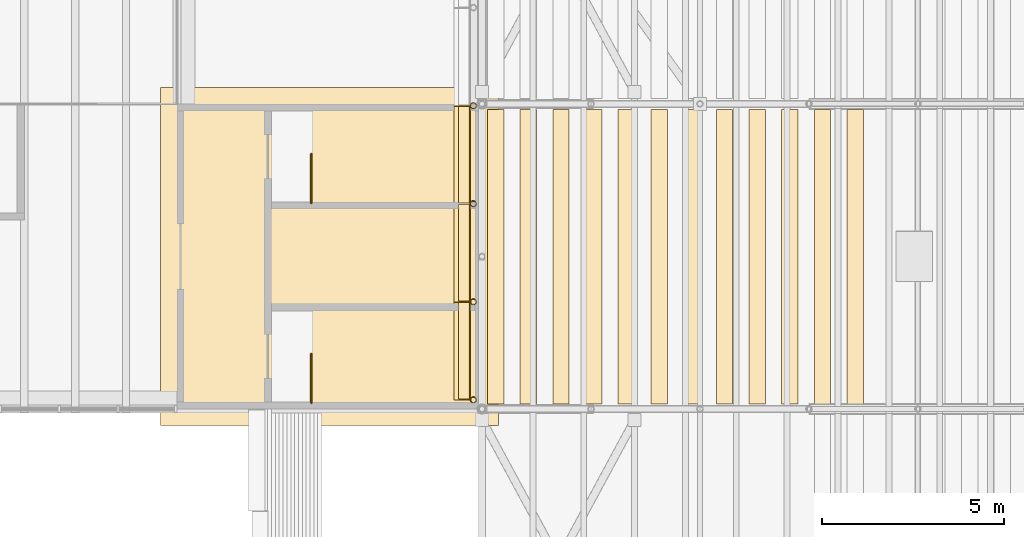
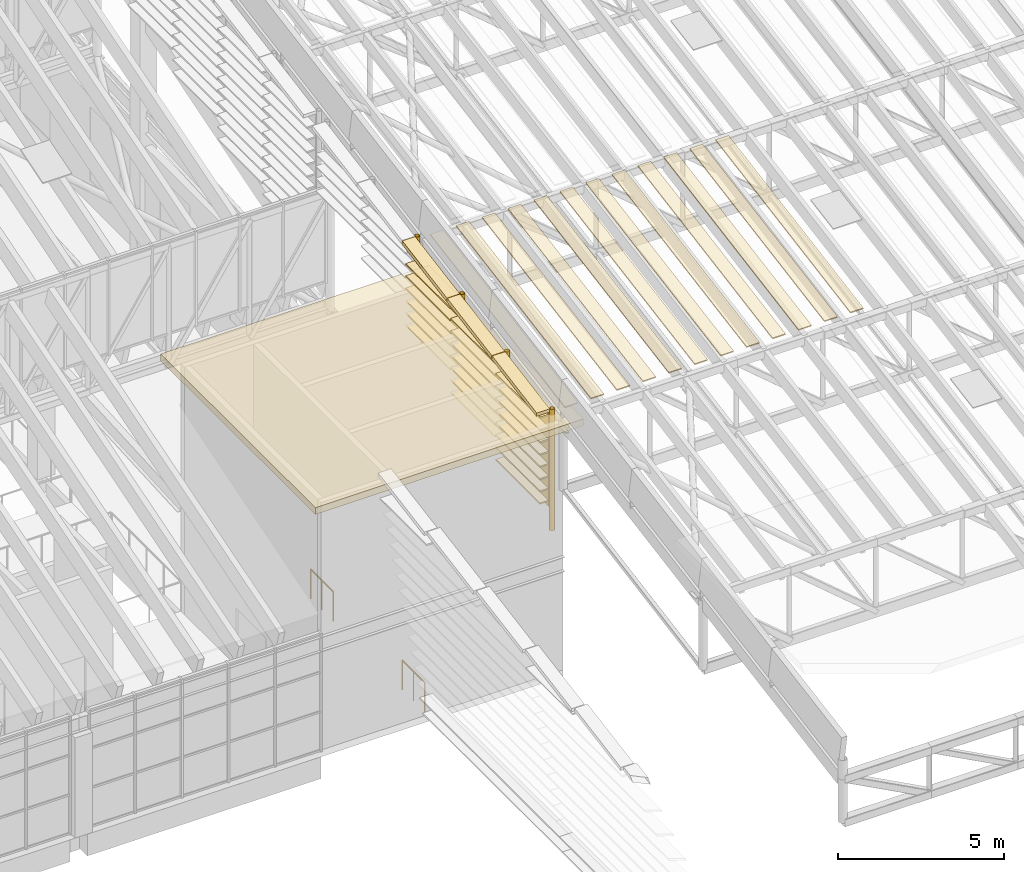
# One storey, part 78 of 91: 40 coverings, 4 shading devices, 2 railings.
"""IFC4 building model written with IfcOpenShell, lengths in metres."""

from ifc_helpers import new_model, si_unit, direction, frame, origin, origin_2d, place, context, subcontext, project, spatial, polyline, rectangle, circle, hollow_circle, outline, extrude, material, layer, layer_set, material_profile, profile_set, type_object, element, save


model = new_model("IFC4")

# Units and contexts
model_context = context("Model", 3, precision=1e-05, world=origin(), true_north=direction((0.0, 1.0)))
body_context = subcontext(model_context, "Body", "Model", "MODEL_VIEW")
ifc_project = project(units=[si_unit("LENGTHUNIT", "METRE"), si_unit("AREAUNIT", "SQUARE_METRE"), si_unit("VOLUMEUNIT", "CUBIC_METRE"), si_unit("PLANEANGLEUNIT", "RADIAN"), si_unit("MASSUNIT", "GRAM", prefix="KILO")], contexts=[model_context])

# Site, building, storey
site_placement = place(None, origin())
site = spatial("IfcSite", under=ifc_project, at=site_placement, CompositionType="ELEMENT")
building_placement = place(site_placement, origin())
building = spatial("IfcBuilding", under=site, at=building_placement, Name="Almond Square Museum", CompositionType="ELEMENT")
storey_placement = place(building_placement, frame((0.0, 0.0, 30.0)))
storey = spatial("IfcBuildingStorey", under=building, at=storey_placement, Name="L05", CompositionType="ELEMENT", Elevation=30.0)

# Coverings
ifc_material_1 = material(Name="Cedar timber roof board", Category="wood")
ifc_layer_1 = layer(ifc_material_1, 0.0400390625)
ifc_layer_set_1 = layer_set([ifc_layer_1], Name="Cedar timber roof board")
covering_type_1 = type_object("IfcCoveringType", Name="Hall roof board 450 x 40", PredefinedType="CLADDING", material=ifc_layer_set_1)
for number, where, z_axis, x_axis, name in (
    (1, (107.39990234375, 75.449951171875, 10.8837890625), (0.0, -0.17238105195, 0.985030341121), (-1.0, 0.0, 0.0), "Hall roof board"),
    (2, (108.300048828125, 75.449951171875, 10.8837890625), (0.0, -0.17238105195, 0.985030341121), (-1.0, 0.0, 0.0), "Hall roof board"),
    (3, (109.199951171875, 75.449951171875, 10.8837890625), (0.0, -0.17238105195, 0.985030341121), (-1.0, 0.0, 0.0), "Hall roof board"),
):
    element("IfcCovering", number, at=place(storey_placement, frame(where, z_axis=z_axis, x_axis=x_axis)), inside=storey, type_object=covering_type_1, Name=name, PredefinedType="CLADDING", context=body_context, shape_type="SweptSolid", body=[
        extrude(outline(polyline([(0.0, 0.0), (0.449951171875, 0.0), (0.449951171875, 8.22294824584652), (0.0, 8.22294824584652), (0.0, 0.0)])), origin(), (0.0, 0.0, 1.0), 0.0400390625),
    ])
covering_1_placement = place(storey_placement, frame((110.10009765625, 75.449951171875, 10.8837890625), z_axis=(0.0, -0.17238105195, 0.985030341121), x_axis=(-1.0, 0.0, 0.0)))
element("IfcCovering", 4, at=covering_1_placement, inside=storey, type_object=covering_type_1, Name="Hall roof board", PredefinedType="CLADDING", context=body_context, shape_type="SweptSolid", body=[
    extrude(outline(polyline([(0.0, 0.0), (0.4501953125, 0.0), (0.4501953125, 8.222948245846522), (0.0, 8.222948245846522), (0.0, 0.0)])), origin(), (0.0, 0.0, 1.0), 0.0400390625),
])
for number, where, z_axis, x_axis, name in (
    (5, (111.0, 75.449951171875, 10.8837890625), (0.0, -0.17238105195, 0.985030341121), (-1.0, 0.0, 0.0), "Hall roof board"),
    (6, (111.89990234375, 75.449951171875, 10.8837890625), (0.0, -0.17238105195, 0.985030341121), (-1.0, 0.0, 0.0), "Hall roof board"),
    (7, (112.800048828125, 75.449951171875, 10.8837890625), (0.0, -0.17238105195, 0.985030341121), (-1.0, 0.0, 0.0), "Hall roof board"),
    (8, (113.699951171875, 75.449951171875, 10.8837890625), (0.0, -0.17238105195, 0.985030341121), (-1.0, 0.0, 0.0), "Hall roof board"),
):
    element("IfcCovering", number, at=place(storey_placement, frame(where, z_axis=z_axis, x_axis=x_axis)), inside=storey, type_object=covering_type_1, Name=name, PredefinedType="CLADDING", context=body_context, shape_type="SweptSolid", body=[
        extrude(outline(polyline([(0.0, 0.0), (0.449951171875, 0.0), (0.449951171875, 8.22294824584652), (0.0, 8.22294824584652), (0.0, 0.0)])), origin(), (0.0, 0.0, 1.0), 0.0400390625),
    ])
covering_2_placement = place(storey_placement, frame((114.60009765625, 75.449951171875, 10.8837890625), z_axis=(0.0, -0.17238105195, 0.985030341121), x_axis=(-1.0, 0.0, 0.0)))
element("IfcCovering", 9, at=covering_2_placement, inside=storey, type_object=covering_type_1, Name="Hall roof board", PredefinedType="CLADDING", context=body_context, shape_type="SweptSolid", body=[
    extrude(outline(polyline([(0.0, 0.0), (0.4501953125, 0.0), (0.4501953125, 8.222948245846522), (0.0, 8.222948245846522), (0.0, 0.0)])), origin(), (0.0, 0.0, 1.0), 0.0400390625),
])
for number, where, z_axis, x_axis, name in (
    (10, (115.5, 75.449951171875, 10.8837890625), (0.0, -0.17238105195, 0.985030341121), (-1.0, 0.0, 0.0), "Hall roof board"),
    (11, (116.39990234375, 75.449951171875, 10.8837890625), (0.0, -0.17238105195, 0.985030341121), (-1.0, 0.0, 0.0), "Hall roof board"),
    (12, (117.300048828125, 75.449951171875, 10.8837890625), (0.0, -0.17238105195, 0.985030341121), (-1.0, 0.0, 0.0), "Hall roof board"),
):
    element("IfcCovering", number, at=place(storey_placement, frame(where, z_axis=z_axis, x_axis=x_axis)), inside=storey, type_object=covering_type_1, Name=name, PredefinedType="CLADDING", context=body_context, shape_type="SweptSolid", body=[
        extrude(outline(polyline([(0.0, 0.0), (0.449951171875, 0.0), (0.449951171875, 8.22294824584652), (0.0, 8.22294824584652), (0.0, 0.0)])), origin(), (0.0, 0.0, 1.0), 0.0400390625),
    ])
ifc_material_2 = material(Name="Insulated aluminium roof deck", Category="aluminium")
ifc_layer_2 = layer(ifc_material_2, 0.25)
ifc_layer_set_2 = layer_set([ifc_layer_2], Name="Insulated aluminium roof deck")
covering_type_2 = type_object("IfcCoveringType", Name="Head house cap, standing seam zinc", PredefinedType="CLADDING", material=ifc_layer_set_2)
covering_3_placement = place(storey_placement, frame((102.60009765625, 71.39990234375, 9.0673828125), z_axis=(0.0, 0.0, 1.0), x_axis=(1.0, 0.0, 0.0)))
element("IfcCovering", 13, at=covering_3_placement, inside=storey, type_object=covering_type_2, Name="Head house roof cap A2", PredefinedType="CLADDING", context=body_context, shape_type="SweptSolid", body=[
    extrude(rectangle(XDim=9.300048828125, YDim=9.300048828125, at=origin_2d()), origin(), (0.0, 0.0, 1.0), 0.25),
])

# Shading devices
ifc_material_3 = material(Name="Structural steel S355", Category="steel")
ifc_material_profile_1 = material_profile(ifc_material_3, hollow_circle(Radius=0.084228515625, WallThickness=0.008056640625, at=origin_2d()))
ifc_profile_set_1 = profile_set([ifc_material_profile_1], Name="Structural steel S355")
shading_device_type = type_object("IfcShadingDeviceType", Name="Louvre post CHS 168.3 x 8", PredefinedType="USERDEFINED", material=ifc_profile_set_1)
shading_device_1_placement = place(storey_placement, frame((106.560791015625, 67.449951171875, 5.076416015625), z_axis=(0.0, 0.0, 1.0), x_axis=(1.0, 0.0, 0.0)))
element("IfcShadingDevice", 14, at=shading_device_1_placement, inside=storey, type_object=shading_device_type, Name="Louvre screen post", ObjectType="POST", PredefinedType="USERDEFINED", context=body_context, shape_type="SweptSolid", body=[
    extrude(hollow_circle(Radius=0.084228515625, WallThickness=0.008056640625, at=origin_2d()), origin(), (0.0, 0.0, 1.0), 4.457275390625),
])
shading_device_2_placement = place(storey_placement, frame((106.560791015625, 70.14990234375, 5.90185546875), z_axis=(0.0, 0.0, 1.0), x_axis=(1.0, 0.0, 0.0)))
element("IfcShadingDevice", 15, at=shading_device_2_placement, inside=storey, type_object=shading_device_type, Name="Louvre screen post", ObjectType="POST", PredefinedType="USERDEFINED", context=body_context, shape_type="SweptSolid", body=[
    extrude(hollow_circle(Radius=0.084228515625, WallThickness=0.008056640625, at=origin_2d()), origin(), (0.0, 0.0, 1.0), 4.1044921875),
])
shading_device_3_placement = place(storey_placement, frame((106.560791015625, 72.85009765625, 6.727294921875), z_axis=(0.0, 0.0, 1.0), x_axis=(1.0, 0.0, 0.0)))
element("IfcShadingDevice", 16, at=shading_device_3_placement, inside=storey, type_object=shading_device_type, Name="Louvre screen post", ObjectType="POST", PredefinedType="USERDEFINED", context=body_context, shape_type="SweptSolid", body=[
    extrude(hollow_circle(Radius=0.084228515625, WallThickness=0.008056640625, at=origin_2d()), origin(), (0.0, 0.0, 1.0), 3.75146484375),
])
shading_device_4_placement = place(storey_placement, frame((106.560791015625, 75.550048828125, 7.552734375), z_axis=(0.0, 0.0, 1.0), x_axis=(1.0, 0.0, 0.0)))
element("IfcShadingDevice", 17, at=shading_device_4_placement, inside=storey, type_object=shading_device_type, Name="Louvre screen post", ObjectType="POST", PredefinedType="USERDEFINED", context=body_context, shape_type="SweptSolid", body=[
    extrude(hollow_circle(Radius=0.084228515625, WallThickness=0.008056640625, at=origin_2d()), origin(), (0.0, 0.0, 1.0), 3.3984375),
])

# Coverings
ifc_material_4 = material(Name="Cedar timber sheathing panel", Category="wood")
ifc_layer_3 = layer(ifc_material_4, 0.030029296875)
ifc_layer_set_3 = layer_set([ifc_layer_3], Name="Cedar timber sheathing panel")
covering_type_3 = type_object("IfcCoveringType", Name="Louvre rain-screen backing panel 30", PredefinedType="CLADDING", material=ifc_layer_set_3)
covering_4_placement = place(storey_placement, frame((106.463623046875, 67.4599609375, 5.951904296875), z_axis=(1.0, 0.0, 0.0), x_axis=(0.0, 1.0, 0.0)))
element("IfcCovering", 18, at=covering_4_placement, inside=storey, type_object=covering_type_3, Name="Louvre rain-screen backing panel W2 1", PredefinedType="CLADDING", context=body_context, shape_type="SweptSolid", body=[
    extrude(outline(polyline([(0.0, 0.0), (2.679931640625, 0.0), (2.679931640625, 3.44189453125), (0.0, 3.44189453125), (0.0, 0.0)])), frame((0.0, 0.0, -0.01513671875)), (0.0, 0.0, 1.0), 0.030029296875),
])
covering_5_placement = place(storey_placement, frame((106.463623046875, 70.159912109375, 6.77734375), z_axis=(1.0, 0.0, 0.0), x_axis=(0.0, 1.0, 0.0)))
element("IfcCovering", 19, at=covering_5_placement, inside=storey, type_object=covering_type_3, Name="Louvre rain-screen backing panel W2 2", PredefinedType="CLADDING", context=body_context, shape_type="SweptSolid", body=[
    extrude(outline(polyline([(0.0, 0.0), (2.68017578125, 0.0), (2.68017578125, 3.0888671875), (0.0, 3.0888671875), (0.0, 0.0)])), frame((0.0, 0.0, -0.01513671875)), (0.0, 0.0, 1.0), 0.030029296875),
])
covering_6_placement = place(storey_placement, frame((106.463623046875, 72.860107421875, 7.602783203125), z_axis=(1.0, 0.0, 0.0), x_axis=(0.0, 1.0, 0.0)))
element("IfcCovering", 20, at=covering_6_placement, inside=storey, type_object=covering_type_3, Name="Louvre rain-screen backing panel W2 3", PredefinedType="CLADDING", context=body_context, shape_type="SweptSolid", body=[
    extrude(outline(polyline([(0.0, 0.0), (2.679931640625, 0.0), (2.679931640625, 2.73583984375), (0.0, 2.73583984375), (0.0, 0.0)])), frame((0.0, 0.0, -0.01513671875)), (0.0, 0.0, 1.0), 0.030029296875),
])
ifc_material_5 = material(Name="Cedar timber louvre board", Category="wood")
ifc_material_profile_2 = material_profile(ifc_material_5, rectangle(XDim=0.300048828125, YDim=0.050048828125, at=origin_2d()))
ifc_profile_set_2 = profile_set([ifc_material_profile_2], Name="Cedar timber louvre board")
covering_type_4 = type_object("IfcCoveringType", Name="Louvre screen board 300 x 50", PredefinedType="CLADDING", material=ifc_profile_set_2)
for number, where, z_axis, x_axis, name in (
    (21, (106.302734375, 67.469970703125, 6.15185546875), (0.0, 1.0, 0.0), (-1.0, 0.0, 0.0), "Louvre screen board"),
    (22, (106.302734375, 67.469970703125, 6.601806640625), (0.0, 1.0, 0.0), (-1.0, 0.0, 0.0), "Louvre screen board"),
    (23, (106.302734375, 67.469970703125, 7.052001953125), (0.0, 1.0, 0.0), (-1.0, 0.0, 0.0), "Louvre screen board"),
    (24, (106.302734375, 67.469970703125, 7.501953125), (0.0, 1.0, 0.0), (-1.0, 0.0, 0.0), "Louvre screen board"),
    (25, (106.302734375, 67.469970703125, 7.951904296875), (0.0, 1.0, 0.0), (-1.0, 0.0, 0.0), "Louvre screen board"),
    (26, (106.302734375, 67.469970703125, 8.40185546875), (0.0, 1.0, 0.0), (-1.0, 0.0, 0.0), "Louvre screen board"),
    (27, (106.302734375, 67.469970703125, 8.851806640625), (0.0, 1.0, 0.0), (-1.0, 0.0, 0.0), "Louvre screen board"),
    (28, (106.302734375, 67.469970703125, 9.302001953125), (0.0, 1.0, 0.0), (-1.0, 0.0, 0.0), "Louvre screen board"),
):
    element("IfcCovering", number, at=place(storey_placement, frame(where, z_axis=z_axis, x_axis=x_axis)), inside=storey, type_object=covering_type_4, Name=name, PredefinedType="CLADDING", context=body_context, shape_type="SweptSolid", body=[
        extrude(rectangle(XDim=0.300048828125, YDim=0.050048828125, at=origin_2d()), origin(), (0.0, 0.0, 1.0), 2.659912109375),
    ])
for number, where, z_axis, x_axis, name in (
    (29, (106.302734375, 70.169921875, 6.977294921875), (0.0, 1.0, 0.0), (-1.0, 0.0, 0.0), "Louvre screen board"),
    (30, (106.302734375, 70.169921875, 7.427490234375), (0.0, 1.0, 0.0), (-1.0, 0.0, 0.0), "Louvre screen board"),
    (31, (106.302734375, 70.169921875, 7.87744140625), (0.0, 1.0, 0.0), (-1.0, 0.0, 0.0), "Louvre screen board"),
    (32, (106.302734375, 70.169921875, 8.327392578125), (0.0, 1.0, 0.0), (-1.0, 0.0, 0.0), "Louvre screen board"),
    (33, (106.302734375, 70.169921875, 8.77734375), (0.0, 1.0, 0.0), (-1.0, 0.0, 0.0), "Louvre screen board"),
    (34, (106.302734375, 70.169921875, 9.227294921875), (0.0, 1.0, 0.0), (-1.0, 0.0, 0.0), "Louvre screen board"),
    (35, (106.302734375, 70.169921875, 9.677490234375), (0.0, 1.0, 0.0), (-1.0, 0.0, 0.0), "Louvre screen board"),
):
    element("IfcCovering", number, at=place(storey_placement, frame(where, z_axis=z_axis, x_axis=x_axis)), inside=storey, type_object=covering_type_4, Name=name, PredefinedType="CLADDING", context=body_context, shape_type="SweptSolid", body=[
        extrude(rectangle(XDim=0.300048828125, YDim=0.050048828125, at=origin_2d()), origin(), (0.0, 0.0, 1.0), 2.66015625),
    ])
for number, where, z_axis, x_axis, name in (
    (36, (106.302734375, 72.8701171875, 7.802734375), (0.0, 1.0, 0.0), (-1.0, 0.0, 0.0), "Louvre screen board"),
    (37, (106.302734375, 72.8701171875, 8.2529296875), (0.0, 1.0, 0.0), (-1.0, 0.0, 0.0), "Louvre screen board"),
    (38, (106.302734375, 72.8701171875, 8.702880859375), (0.0, 1.0, 0.0), (-1.0, 0.0, 0.0), "Louvre screen board"),
    (39, (106.302734375, 72.8701171875, 9.15283203125), (0.0, 1.0, 0.0), (-1.0, 0.0, 0.0), "Louvre screen board"),
    (40, (106.302734375, 72.8701171875, 9.602783203125), (0.0, 1.0, 0.0), (-1.0, 0.0, 0.0), "Louvre screen board"),
    (41, (106.302734375, 72.8701171875, 10.052734375), (0.0, 1.0, 0.0), (-1.0, 0.0, 0.0), "Louvre screen board"),
):
    element("IfcCovering", number, at=place(storey_placement, frame(where, z_axis=z_axis, x_axis=x_axis)), inside=storey, type_object=covering_type_4, Name=name, PredefinedType="CLADDING", context=body_context, shape_type="SweptSolid", body=[
        extrude(rectangle(XDim=0.300048828125, YDim=0.050048828125, at=origin_2d()), origin(), (0.0, 0.0, 1.0), 2.659912109375),
    ])
ifc_material_6 = material(Name="Cedar timber louvre board", Category="wood")
ifc_material_profile_3 = material_profile(ifc_material_6, rectangle(XDim=0.449951171875, YDim=0.139892578125, at=origin_2d()))
ifc_profile_set_3 = profile_set([ifc_material_profile_3], Name="Cedar timber louvre board")
covering_type_5 = type_object("IfcCoveringType", Name="Louvre skin fascia 450 x 140", PredefinedType="CLADDING", material=ifc_profile_set_3)
covering_7_placement = place(storey_placement, frame((106.255615234375, 67.4599609375, 9.4638671875), z_axis=(0.0, 0.984816056222, 0.173601081242), x_axis=(-1.0, 0.0, 0.0)))
element("IfcCovering", 42, at=covering_7_placement, inside=storey, type_object=covering_type_5, Name="Louvre skin fascia", PredefinedType="CLADDING", context=body_context, shape_type="SweptSolid", body=[
    extrude(rectangle(XDim=0.449951171875, YDim=0.139892578125, at=origin_2d()), origin(), (0.0, 0.0, 1.0), 2.72119140625),
])
covering_8_placement = place(storey_placement, frame((106.255615234375, 70.159912109375, 9.936279296875), z_axis=(0.0, 0.984818759674, 0.173585744213), x_axis=(-1.0, 0.0, 0.0)))
element("IfcCovering", 43, at=covering_8_placement, inside=storey, type_object=covering_type_5, Name="Louvre skin fascia", PredefinedType="CLADDING", context=body_context, shape_type="SweptSolid", body=[
    extrude(rectangle(XDim=0.449951171875, YDim=0.139892578125, at=origin_2d()), origin(), (0.0, 0.0, 1.0), 2.721435546875),
])
covering_9_placement = place(storey_placement, frame((106.255615234375, 72.860107421875, 10.40869140625), z_axis=(0.0, 0.984800714254, 0.173688091719), x_axis=(-1.0, 0.0, 0.0)))
element("IfcCovering", 44, at=covering_9_placement, inside=storey, type_object=covering_type_5, Name="Louvre skin fascia", PredefinedType="CLADDING", context=body_context, shape_type="SweptSolid", body=[
    extrude(rectangle(XDim=0.449951171875, YDim=0.139892578125, at=origin_2d()), origin(), (0.0, 0.0, 1.0), 2.72119140625),
])

# Railings
ifc_material_7 = material(Name="Stainless steel and laminated glass", Category="steel")
railing_type = type_object("IfcRailingType", Name="Stair guard 1100 steel and glass", PredefinedType="GUARDRAIL", material=ifc_material_7)
for number, where, name in (
    (45, (102.10009765625, 67.3701171875, 0.0), "L05 ST-11 top well guard 1"),
    (46, (102.10009765625, 72.8701171875, 0.0), "L05 ST-12 top well guard 1"),
):
    element("IfcRailing", number, at=place(storey_placement, frame(where)), inside=storey, type_object=railing_type, Name=name, PredefinedType="GUARDRAIL", context=body_context, shape_type="SweptSolid", body=[
        extrude(circle(Radius=0.02392578125, at=origin_2d()), frame((0.0, 0.0, 1.076171875), z_axis=(0.0, 1.0, 0.0), x_axis=(-1.0, 0.0, 0.0)), (0.0, 0.0, 1.0), 1.349853515625),
        extrude(circle(Radius=0.02099609375, at=origin_2d()), origin(), (0.0, 0.0, 1.0), 1.052001953125),
        extrude(circle(Radius=0.02099609375, at=origin_2d()), frame((0.0, 0.6748046875, 0.0)), (0.0, 0.0, 1.0), 1.052001953125),
        extrude(circle(Radius=0.02099609375, at=origin_2d()), frame((0.0, 1.349853515625, 0.0)), (0.0, 0.0, 1.0), 1.052001953125),
    ])

save(model, "model.ifc")
